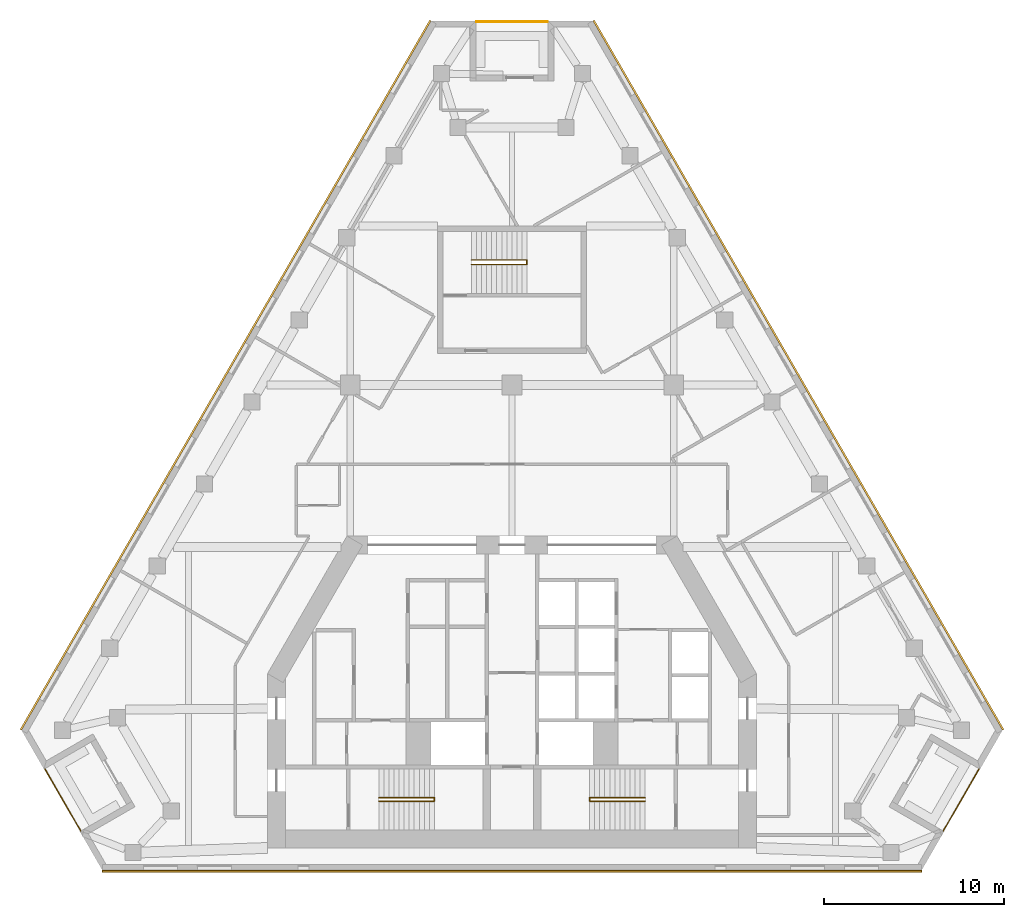
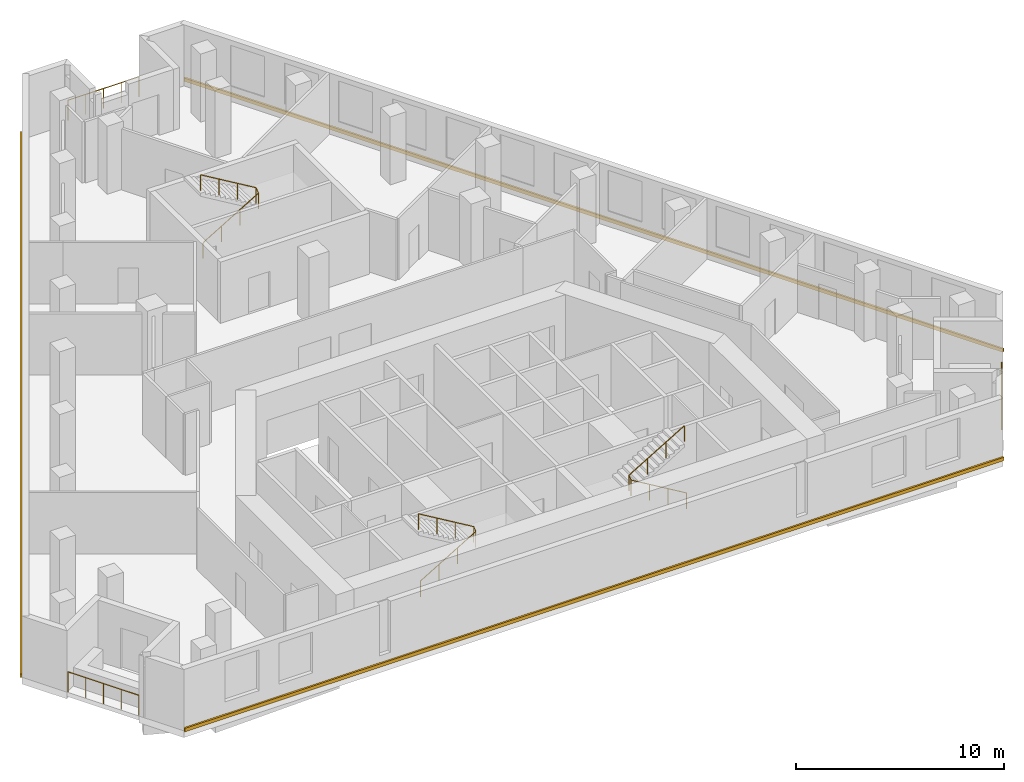
# One storey, part 9 of 9: 6 railings, 3 coverings.
"""IFC4 building model written with IfcOpenShell, lengths in metres."""

from ifc_helpers import new_model, si_unit, direction, frame, origin, origin_2d, place, context, subcontext, project, spatial, polyline, circle, outline, extrude, material, type_object, element, save


model = new_model("IFC4")

# Units and contexts
model_context = context("Model", 3, precision=1e-05, world=origin(), true_north=direction((0.0, 1.0)))
body_context = subcontext(model_context, "Body", "Model", "MODEL_VIEW")
ifc_project = project(units=[si_unit("LENGTHUNIT", "METRE"), si_unit("AREAUNIT", "SQUARE_METRE"), si_unit("VOLUMEUNIT", "CUBIC_METRE"), si_unit("PLANEANGLEUNIT", "RADIAN"), si_unit("MASSUNIT", "GRAM", prefix="KILO")], contexts=[model_context])

# Site, building, storey
site_placement = place(None, origin())
site = spatial("IfcSite", under=ifc_project, at=site_placement, CompositionType="ELEMENT")
building_placement = place(site_placement, origin())
building = spatial("IfcBuilding", under=site, at=building_placement, Name="Fogline Exchange Tower", CompositionType="ELEMENT")
storey_placement = place(building_placement, frame((0.0, 0.0, 210.10009765625)))
storey = spatial("IfcBuildingStorey", under=building, at=storey_placement, Name="L47", CompositionType="ELEMENT", Elevation=210.10009765625)

# Railings
ifc_material_1 = material(Name="Stainless steel 304", Category="steel")
railing_type_1 = type_object("IfcRailingType", Name="G1", PredefinedType="GUARDRAIL", material=ifc_material_1)
railing_1_placement = place(storey_placement, frame((-25.982666015625, 5.635986328125, 0.0)))
element("IfcRailing", 1, at=railing_1_placement, inside=storey, type_object=railing_type_1, Name="Balcony guard L47 SW", PredefinedType="GUARDRAIL", context=body_context, shape_type="SweptSolid", body=[
    extrude(circle(Radius=0.02392578125, at=origin_2d()), frame((0.0, 0.0, 1.17578125), z_axis=(0.500000102728, -0.866025344474, 0.0), x_axis=(0.866025344474, 0.500000102728, 0.0)), (0.0, 0.0, 1.0), 3.9580078125),
    extrude(circle(Radius=0.02099609375, at=origin_2d()), origin(), (0.0, 0.0, 1.0), 1.15185546875),
    extrude(circle(Radius=0.02099609375, at=origin_2d()), frame((0.49462890625, -0.85693359375, 0.0)), (0.0, 0.0, 1.0), 1.15185546875),
    extrude(circle(Radius=0.02099609375, at=origin_2d()), frame((0.989501953125, -1.7138671875, 0.0)), (0.0, 0.0, 1.0), 1.15185546875),
    extrude(circle(Radius=0.02099609375, at=origin_2d()), frame((1.484375, -2.57080078125, 0.0)), (0.0, 0.0, 1.0), 1.15185546875),
    extrude(circle(Radius=0.02099609375, at=origin_2d()), frame((1.97900390625, -3.427734375, 0.0)), (0.0, 0.0, 1.0), 1.15185546875),
])
railing_2_placement = place(storey_placement, frame((24.003662109375, 2.208251953125, 0.0)))
element("IfcRailing", 2, at=railing_2_placement, inside=storey, type_object=railing_type_1, Name="Balcony guard L47 SE", PredefinedType="GUARDRAIL", context=body_context, shape_type="SweptSolid", body=[
    extrude(circle(Radius=0.02392578125, at=origin_2d()), frame((0.0, 0.0, 1.17578125), z_axis=(0.500000102728, 0.866025344474, 0.0), x_axis=(-0.866025344474, 0.500000102728, 0.0)), (0.0, 0.0, 1.0), 3.9580078125),
    extrude(circle(Radius=0.02099609375, at=origin_2d()), origin(), (0.0, 0.0, 1.0), 1.15185546875),
    extrude(circle(Radius=0.02099609375, at=origin_2d()), frame((0.49462890625, 0.85693359375, 0.0)), (0.0, 0.0, 1.0), 1.15185546875),
    extrude(circle(Radius=0.02099609375, at=origin_2d()), frame((0.989501953125, 1.7138671875, 0.0)), (0.0, 0.0, 1.0), 1.15185546875),
    extrude(circle(Radius=0.02099609375, at=origin_2d()), frame((1.484375, 2.57080078125, 0.0)), (0.0, 0.0, 1.0), 1.15185546875),
    extrude(circle(Radius=0.02099609375, at=origin_2d()), frame((1.97900390625, 3.427734375, 0.0)), (0.0, 0.0, 1.0), 1.15185546875),
])
railing_3_placement = place(storey_placement, frame((1.97900390625, 47.211669921875, 0.0)))
element("IfcRailing", 3, at=railing_3_placement, inside=storey, type_object=railing_type_1, Name="Balcony guard L47 N", PredefinedType="GUARDRAIL", context=body_context, shape_type="SweptSolid", body=[
    extrude(circle(Radius=0.02392578125, at=origin_2d()), frame((0.0, 0.0, 1.17578125), z_axis=(-1.0, 0.0, 0.0), x_axis=(0.0, -1.0, 0.0)), (0.0, 0.0, 1.0), 3.9580078125),
    extrude(circle(Radius=0.02099609375, at=origin_2d()), origin(), (0.0, 0.0, 1.0), 1.15185546875),
    extrude(circle(Radius=0.02099609375, at=origin_2d()), frame((-0.989501953125, 0.0, 0.0)), (0.0, 0.0, 1.0), 1.15185546875),
    extrude(circle(Radius=0.02099609375, at=origin_2d()), frame((-1.97900390625, 0.0, 0.0)), (0.0, 0.0, 1.0), 1.15185546875),
    extrude(circle(Radius=0.02099609375, at=origin_2d()), frame((-2.968505859375, 0.0, 0.0)), (0.0, 0.0, 1.0), 1.15185546875),
    extrude(circle(Radius=0.02099609375, at=origin_2d()), frame((-3.9580078125, 0.0, 0.0)), (0.0, 0.0, 1.0), 1.15185546875),
])
ifc_material_2 = material(Name="Steel Q235B", Category="steel")
railing_type_2 = type_object("IfcRailingType", Name="RL-HR", PredefinedType="HANDRAIL", material=ifc_material_2)
railing_4_placement = place(storey_placement, frame((-7.39990234375, 3.85009765625, 0.16650390625)))
element("IfcRailing", 4, at=railing_4_placement, inside=storey, type_object=railing_type_2, Name="Handrail ST1", PredefinedType="HANDRAIL", context=body_context, shape_type="SweptSolid", body=[
    extrude(circle(Radius=0.02392578125, at=origin_2d()), frame((0.0, 0.0, 0.92578125), z_axis=(0.859260807169, 0.0, 0.511537745687), x_axis=(0.0, 1.0, 0.0)), (0.0, 0.0, 1.0), 3.584228515625),
    extrude(circle(Radius=0.02392578125, at=origin_2d()), frame((3.079833984375, 0.0, 2.75927734375), z_axis=(0.0, 0.768451954486, 0.639907488351), x_axis=(-1.0, 0.0, 0.0)), (0.0, 0.0, 1.0), 0.26025390625),
    extrude(circle(Radius=0.02392578125, at=origin_2d()), frame((3.079833984375, 0.199951171875, 2.92578125), z_axis=(-0.859260807169, 0.0, 0.511537745687), x_axis=(0.0, -1.0, 0.0)), (0.0, 0.0, 1.0), 3.584228515625),
    extrude(circle(Radius=0.02099609375, at=origin_2d()), origin(), (0.0, 0.0, 1.0), 0.90185546875),
    extrude(circle(Radius=0.02099609375, at=origin_2d()), frame((1.026611328125, 0.0, 0.611083984375)), (0.0, 0.0, 1.0), 0.90185546875),
    extrude(circle(Radius=0.02099609375, at=origin_2d()), frame((2.05322265625, 0.0, 1.222412109375)), (0.0, 0.0, 1.0), 0.90185546875),
    extrude(circle(Radius=0.02099609375, at=origin_2d()), frame((3.079833984375, 0.0, 1.83349609375)), (0.0, 0.0, 1.0), 0.90185546875),
    extrude(circle(Radius=0.02099609375, at=origin_2d()), frame((3.079833984375, 0.199951171875, 2.0)), (0.0, 0.0, 1.0), 0.90185546875),
    extrude(circle(Radius=0.02099609375, at=origin_2d()), frame((2.05322265625, 0.199951171875, 2.611083984375)), (0.0, 0.0, 1.0), 0.90185546875),
    extrude(circle(Radius=0.02099609375, at=origin_2d()), frame((1.026611328125, 0.199951171875, 3.222412109375)), (0.0, 0.0, 1.0), 0.90185546875),
    extrude(circle(Radius=0.02099609375, at=origin_2d()), frame((0.0, 0.199951171875, 3.83349609375)), (0.0, 0.0, 1.0), 0.90185546875),
])
railing_5_placement = place(storey_placement, frame((7.39990234375, 3.85009765625, 0.16650390625)))
element("IfcRailing", 5, at=railing_5_placement, inside=storey, type_object=railing_type_2, Name="Handrail ST2", PredefinedType="HANDRAIL", context=body_context, shape_type="SweptSolid", body=[
    extrude(circle(Radius=0.02392578125, at=origin_2d()), frame((0.0, 0.0, 0.92578125), z_axis=(-0.859260807169, 0.0, 0.511537745687), x_axis=(0.0, -1.0, 0.0)), (0.0, 0.0, 1.0), 3.584228515625),
    extrude(circle(Radius=0.02392578125, at=origin_2d()), frame((-3.079833984375, 0.0, 2.75927734375), z_axis=(0.0, 0.768451954486, 0.639907488351), x_axis=(-1.0, 0.0, 0.0)), (0.0, 0.0, 1.0), 0.26025390625),
    extrude(circle(Radius=0.02392578125, at=origin_2d()), frame((-3.079833984375, 0.199951171875, 2.92578125), z_axis=(0.859260807169, 0.0, 0.511537745687), x_axis=(0.0, 1.0, 0.0)), (0.0, 0.0, 1.0), 3.584228515625),
    extrude(circle(Radius=0.02099609375, at=origin_2d()), origin(), (0.0, 0.0, 1.0), 0.90185546875),
    extrude(circle(Radius=0.02099609375, at=origin_2d()), frame((-1.026611328125, 0.0, 0.611083984375)), (0.0, 0.0, 1.0), 0.90185546875),
    extrude(circle(Radius=0.02099609375, at=origin_2d()), frame((-2.05322265625, 0.0, 1.222412109375)), (0.0, 0.0, 1.0), 0.90185546875),
    extrude(circle(Radius=0.02099609375, at=origin_2d()), frame((-3.079833984375, 0.0, 1.83349609375)), (0.0, 0.0, 1.0), 0.90185546875),
    extrude(circle(Radius=0.02099609375, at=origin_2d()), frame((-3.079833984375, 0.199951171875, 2.0)), (0.0, 0.0, 1.0), 0.90185546875),
    extrude(circle(Radius=0.02099609375, at=origin_2d()), frame((-2.05322265625, 0.199951171875, 2.611083984375)), (0.0, 0.0, 1.0), 0.90185546875),
    extrude(circle(Radius=0.02099609375, at=origin_2d()), frame((-1.026611328125, 0.199951171875, 3.222412109375)), (0.0, 0.0, 1.0), 0.90185546875),
    extrude(circle(Radius=0.02099609375, at=origin_2d()), frame((0.0, 0.199951171875, 3.83349609375)), (0.0, 0.0, 1.0), 0.90185546875),
])
railing_6_placement = place(storey_placement, frame((-2.25, 33.70703125, 0.16650390625)))
element("IfcRailing", 6, at=railing_6_placement, inside=storey, type_object=railing_type_2, Name="Handrail ST3", PredefinedType="HANDRAIL", context=body_context, shape_type="SweptSolid", body=[
    extrude(circle(Radius=0.02392578125, at=origin_2d()), frame((0.0, 0.0, 0.92578125), z_axis=(0.85927862911, 0.0, 0.511507807912), x_axis=(0.0, 1.0, 0.0)), (0.0, 0.0, 1.0), 3.58447265625),
    extrude(circle(Radius=0.02392578125, at=origin_2d()), frame((3.080078125, 0.0, 2.75927734375), z_axis=(0.0, 0.832300300006, 0.554325004496), x_axis=(-1.0, 0.0, 0.0)), (0.0, 0.0, 1.0), 0.30029296875),
    extrude(circle(Radius=0.02392578125, at=origin_2d()), frame((3.080078125, 0.25, 2.92578125), z_axis=(-0.85927862911, 0.0, 0.511507807912), x_axis=(0.0, -1.0, 0.0)), (0.0, 0.0, 1.0), 3.58447265625),
    extrude(circle(Radius=0.02099609375, at=origin_2d()), origin(), (0.0, 0.0, 1.0), 0.90185546875),
    extrude(circle(Radius=0.02099609375, at=origin_2d()), frame((1.026611328125, 0.0, 0.611083984375)), (0.0, 0.0, 1.0), 0.90185546875),
    extrude(circle(Radius=0.02099609375, at=origin_2d()), frame((2.053466796875, 0.0, 1.222412109375)), (0.0, 0.0, 1.0), 0.90185546875),
    extrude(circle(Radius=0.02099609375, at=origin_2d()), frame((3.080078125, 0.0, 1.83349609375)), (0.0, 0.0, 1.0), 0.90185546875),
    extrude(circle(Radius=0.02099609375, at=origin_2d()), frame((3.080078125, 0.25, 2.0)), (0.0, 0.0, 1.0), 0.90185546875),
    extrude(circle(Radius=0.02099609375, at=origin_2d()), frame((2.053466796875, 0.25, 2.611083984375)), (0.0, 0.0, 1.0), 0.90185546875),
    extrude(circle(Radius=0.02099609375, at=origin_2d()), frame((1.026611328125, 0.25, 3.222412109375)), (0.0, 0.0, 1.0), 0.90185546875),
    extrude(circle(Radius=0.02099609375, at=origin_2d()), frame((0.0, 0.25, 3.83349609375)), (0.0, 0.0, 1.0), 0.90185546875),
])

# Coverings
ifc_material_3 = material(Name="Brick masonry", Category="masonry")
covering_type = type_object("IfcCoveringType", Name="SB1", PredefinedType="CLADDING", material=ifc_material_3)
covering_1_placement = place(storey_placement, origin())
element("IfcCovering", 7, at=covering_1_placement, inside=storey, type_object=covering_type, Name="Stringcourse band L47 S", PredefinedType="CLADDING", context=body_context, shape_type="SweptSolid", body=[
    extrude(outline(polyline([(-22.78662109375, 0.0), (-22.78662109375, -0.10009765625), (22.78662109375, -0.10009765625), (22.78662109375, 0.0), (-22.78662109375, 0.0)])), origin(), (0.0, 0.0, 1.0), 0.199951171875),
])
covering_2_placement = place(storey_placement, origin())
element("IfcCovering", 8, at=covering_2_placement, inside=storey, type_object=covering_type, Name="Stringcourse band L47 E", PredefinedType="CLADDING", context=body_context, shape_type="SweptSolid", body=[
    extrude(outline(polyline([(27.28662109375, 7.794189453125), (27.373046875, 7.84423828125), (4.586669921875, 47.311767578125), (4.5, 47.26171875), (27.28662109375, 7.794189453125)])), origin(), (0.0, 0.0, 1.0), 0.199951171875),
])
covering_3_placement = place(storey_placement, origin())
element("IfcCovering", 9, at=covering_3_placement, inside=storey, type_object=covering_type, Name="Stringcourse band L47 W", PredefinedType="CLADDING", context=body_context, shape_type="SweptSolid", body=[
    extrude(outline(polyline([(-4.5, 47.26171875), (-4.586669921875, 47.311767578125), (-27.373046875, 7.84423828125), (-27.28662109375, 7.794189453125), (-4.5, 47.26171875)])), origin(), (0.0, 0.0, 1.0), 0.199951171875),
])

save(model, "model.ifc")
